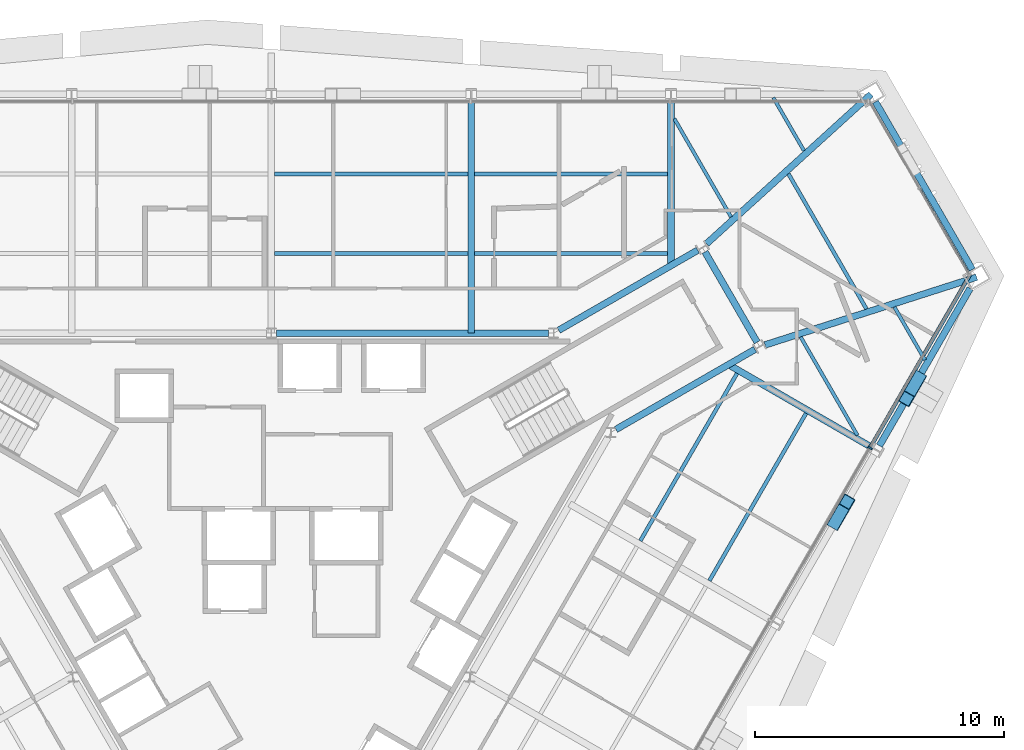
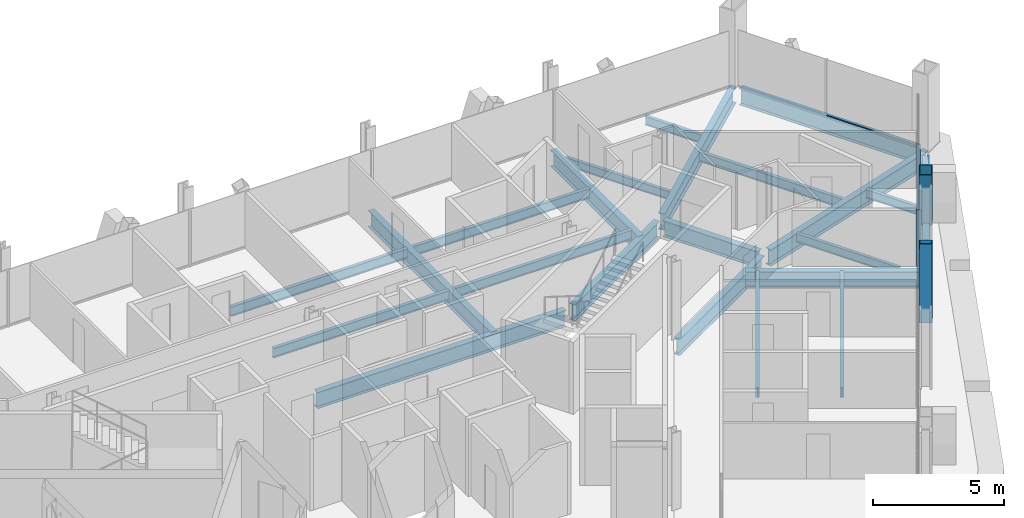
# One storey, part 7 of 16: 22 beams, 5 members, 2 elements without a shape of their own.
"""IFC4 building model written with IfcOpenShell, lengths in metres."""

from ifc_helpers import new_model, si_unit, direction, frame, origin, origin_2d, place, context, subcontext, project, spatial, rectangle, hollow_rectangle, i_section, extrude, material, material_profile, profile_set, type_object, element, aggregate, save


model = new_model("IFC4")

# Units and contexts
model_context = context("Model", 3, precision=1e-05, world=origin(), true_north=direction((0.0, 1.0)))
body_context = subcontext(model_context, "Body", "Model", "MODEL_VIEW")
ifc_project = project(units=[si_unit("LENGTHUNIT", "METRE"), si_unit("AREAUNIT", "SQUARE_METRE"), si_unit("VOLUMEUNIT", "CUBIC_METRE"), si_unit("PLANEANGLEUNIT", "RADIAN"), si_unit("MASSUNIT", "GRAM", prefix="KILO")], contexts=[model_context])

# Site, building, storey
site_placement = place(None, origin())
site = spatial("IfcSite", under=ifc_project, at=site_placement, CompositionType="ELEMENT")
building_placement = place(site_placement, origin())
building = spatial("IfcBuilding", under=site, at=building_placement, Name="Verrane Prism Tower", CompositionType="ELEMENT")
storey_placement = place(building_placement, frame((0.0, 0.0, 107.199951171875)))
storey = spatial("IfcBuildingStorey", under=building, at=storey_placement, Name="L25", CompositionType="ELEMENT", Elevation=107.199951171875)

# Beams
ifc_material_1 = material(Name="Steel A992", Category="steel")
ifc_material_profile_1 = material_profile(ifc_material_1, i_section(OverallWidth=0.2666015625, OverallDepth=0.76708984375, WebThickness=0.014892578125, FlangeThickness=0.023681640625, FilletRadius=0.0166015625, at=origin_2d()), Name="W30x124")
ifc_profile_set_1 = profile_set([ifc_material_profile_1], Name="Steel A992")
beam_type_1 = type_object("IfcBeamType", Name="Chamfer spandrel beam W30x124", PredefinedType="SPANDREL", material=ifc_profile_set_1)
beam_1_placement = place(storey_placement, frame((28.135009765625, 11.753173828125, -0.54345703125), z_axis=(-0.500214307011, 0.865901638214, 0.0), x_axis=(-0.865901638214, -0.500214307011, 0.0)))
element("IfcBeam", 1, at=beam_1_placement, inside=storey, type_object=beam_type_1, Name="Chamfer spandrel beam L25", PredefinedType="SPANDREL", context=body_context, shape_type="SweptSolid", body=[
    extrude(i_section(OverallWidth=0.2666015625, OverallDepth=0.76708984375, WebThickness=0.014892578125, FlangeThickness=0.023681640625, FilletRadius=0.0166015625, at=origin_2d()), origin(), (0.0, 0.0, 1.0), 7.7763671875),
])
ifc_material_2 = material(Name="Steel A992", Category="steel")
ifc_material_profile_2 = material_profile(ifc_material_2, i_section(OverallWidth=0.2666015625, OverallDepth=0.7568359375, WebThickness=0.013916015625, FlangeThickness=0.019287109375, FilletRadius=0.0166015625, at=origin_2d()), Name="W30x108")
ifc_profile_set_2 = profile_set([ifc_material_profile_2], Name="Steel A992")
beam_type_2 = type_object("IfcBeamType", Name="Core ring girder W30x108", PredefinedType="BEAM", material=ifc_profile_set_2)
beam_2_placement = place(storey_placement, frame((13.830810546875, 5.335693359375, -0.62841796875), z_axis=(0.866455532004, 0.499254254924, 0.0), x_axis=(-0.499254254924, 0.866455532004, 0.0)))
element("IfcBeam", 2, at=beam_2_placement, inside=storey, type_object=beam_type_2, Name="Core ring girder L25", PredefinedType="BEAM", context=body_context, shape_type="SweptSolid", body=[
    extrude(i_section(OverallWidth=0.2666015625, OverallDepth=0.7568359375, WebThickness=0.013916015625, FlangeThickness=0.019287109375, FilletRadius=0.0166015625, at=origin_2d()), origin(), (0.0, 0.0, 1.0), 6.441162109375),
])
beam_3_placement = place(storey_placement, frame((19.4970703125, 8.838134765625, -0.62841796875), z_axis=(-0.500367003619, 0.865813410435, 0.0), x_axis=(-0.865813410435, -0.500367003619, 0.0)))
element("IfcBeam", 3, at=beam_3_placement, inside=storey, type_object=beam_type_2, Name="Core ring girder L25", PredefinedType="BEAM", context=body_context, shape_type="SweptSolid", body=[
    extrude(i_section(OverallWidth=0.2666015625, OverallDepth=0.7568359375, WebThickness=0.013916015625, FlangeThickness=0.019287109375, FilletRadius=0.0166015625, at=origin_2d()), origin(), (0.0, 0.0, 1.0), 4.185302734375),
])
beam_4_placement = place(storey_placement, frame((17.11181640625, 12.531494140625, -0.62841796875), z_axis=(-0.866455532004, -0.499254254924, 0.0), x_axis=(0.499254254924, -0.866455532004, 0.0)))
element("IfcBeam", 4, at=beam_4_placement, inside=storey, type_object=beam_type_2, Name="Core ring girder L25", PredefinedType="BEAM", context=body_context, shape_type="SweptSolid", body=[
    extrude(i_section(OverallWidth=0.2666015625, OverallDepth=0.7568359375, WebThickness=0.013916015625, FlangeThickness=0.019287109375, FilletRadius=0.0166015625, at=origin_2d()), origin(), (0.0, 0.0, 1.0), 6.441162109375),
])
beam_5_placement = place(storey_placement, frame((11.12939453125, 9.199951171875, -0.62841796875), z_axis=(-1.0, 0.0, 0.0), x_axis=(0.0, -1.0, 0.0)))
element("IfcBeam", 5, at=beam_5_placement, inside=storey, type_object=beam_type_2, Name="Core ring girder L25", PredefinedType="BEAM", context=body_context, shape_type="SweptSolid", body=[
    extrude(i_section(OverallWidth=0.2666015625, OverallDepth=0.7568359375, WebThickness=0.013916015625, FlangeThickness=0.019287109375, FilletRadius=0.0166015625, at=origin_2d()), origin(), (0.0, 0.0, 1.0), 10.9287109375),
])
ifc_material_3 = material(Name="Steel A992", Category="steel")
ifc_material_profile_3 = material_profile(ifc_material_3, i_section(OverallWidth=0.2666015625, OverallDepth=0.76708984375, WebThickness=0.014892578125, FlangeThickness=0.023681640625, FilletRadius=0.0166015625, at=origin_2d()), Name="W30x124")
ifc_profile_set_3 = profile_set([ifc_material_profile_3], Name="Steel A992")
beam_type_3 = type_object("IfcBeamType", Name="Corner girder W30x124", PredefinedType="BEAM", material=ifc_profile_set_3)
beam_6_placement = place(storey_placement, frame((28.3056640625, 11.448486328125, -0.603515625), z_axis=(-0.952340206189, -0.305037918423, 0.0), x_axis=(0.305037918423, -0.952340206189, 0.0)))
element("IfcBeam", 6, at=beam_6_placement, inside=storey, type_object=beam_type_3, Name="Corner girder L25", PredefinedType="BEAM", context=body_context, shape_type="SweptSolid", body=[
    extrude(i_section(OverallWidth=0.2666015625, OverallDepth=0.76708984375, WebThickness=0.014892578125, FlangeThickness=0.023681640625, FilletRadius=0.0166015625, at=origin_2d()), origin(), (0.0, 0.0, 1.0), 8.919189453125),
])
beam_7_placement = place(storey_placement, frame((24.068115234375, 18.788330078125, -0.603515625), z_axis=(-0.740172818675, -0.67241668517, 0.0), x_axis=(0.67241668517, -0.740172818675, 0.0)))
element("IfcBeam", 7, at=beam_7_placement, inside=storey, type_object=beam_type_3, Name="Corner girder L25", PredefinedType="BEAM", context=body_context, shape_type="SweptSolid", body=[
    extrude(i_section(OverallWidth=0.2666015625, OverallDepth=0.76708984375, WebThickness=0.014892578125, FlangeThickness=0.023681640625, FilletRadius=0.0166015625, at=origin_2d()), origin(), (0.0, 0.0, 1.0), 8.921630859375),
])

# Members
ifc_material_4 = material(Name="Steel A1085 Grade A", Category="steel")
ifc_material_profile_4 = material_profile(ifc_material_4, hollow_rectangle(XDim=0.508056640625, YDim=0.508056640625, WallThickness=0.025390625, InnerFilletRadius=0.0126953125, OuterFilletRadius=0.0380859375, at=origin_2d()), Name="HSS20x20x1")
ifc_profile_set_4 = profile_set([ifc_material_profile_4], Name="Steel A1085 Grade A")
member_type_1 = type_object("IfcMemberType", Name="Facade brace HSS20x20x1", PredefinedType="BRACE", material=ifc_profile_set_4)
member_1_placement = place(storey_placement, frame((22.624267578125, 1.60302734375, -0.242431640625), z_axis=(0.152034174601, 0.262773207169, 0.952804204098), x_axis=(-0.865565771003, 0.500795263623, 0.0)))
element("IfcMember", 8, at=member_1_placement, inside=storey, type_object=member_type_1, Name="Facade brace SE4 L25", PredefinedType="BRACE", context=body_context, shape_type="SweptSolid", body=[
    extrude(hollow_rectangle(XDim=0.508056640625, YDim=0.508056640625, WallThickness=0.025390625, InnerFilletRadius=0.0126953125, OuterFilletRadius=0.0380859375, at=origin_2d()), origin(), (0.0, 0.0, 1.0), 3.156982421875),
])
member_2_placement = place(storey_placement, frame((25.971435546875, 7.39697265625, -0.242431640625), z_axis=(-0.151580861177, -0.262791717489, 0.952871321714), x_axis=(0.86622802292, -0.49964888903, 0.0)))
element("IfcMember", 9, at=member_2_placement, inside=storey, type_object=member_type_1, Name="Facade brace SE5 L25", PredefinedType="BRACE", context=body_context, shape_type="SweptSolid", body=[
    extrude(hollow_rectangle(XDim=0.508056640625, YDim=0.508056640625, WallThickness=0.025390625, InnerFilletRadius=0.0126953125, OuterFilletRadius=0.0380859375, at=origin_2d()), origin(), (0.0, 0.0, 1.0), 3.15673828125),
])

# Beams
ifc_material_5 = material(Name="Steel A992", Category="steel")
ifc_material_profile_5 = material_profile(ifc_material_5, i_section(OverallWidth=0.140380859375, OverallDepth=0.40380859375, WebThickness=0.007080078125, FlangeThickness=0.01123046875, FilletRadius=0.01025390625, at=origin_2d()), Name="W16x31")
ifc_profile_set_5 = profile_set([ifc_material_profile_5], Name="Steel A992")
beam_type_4 = type_object("IfcBeamType", Name="Floor beam W16x31", PredefinedType="BEAM", material=ifc_profile_set_5)
beam_8_placement = place(storey_placement, frame((21.37744140625, 16.5244140625, -0.36181640625), z_axis=(-0.500000007376, 0.866025399526, 0.0), x_axis=(-0.866025399526, -0.500000007376, 0.0)))
element("IfcBeam", 10, at=beam_8_placement, inside=storey, type_object=beam_type_4, Name="Floor beam L25", PredefinedType="BEAM", context=body_context, shape_type="SweptSolid", body=[
    extrude(i_section(OverallWidth=0.140380859375, OverallDepth=0.40380859375, WebThickness=0.007080078125, FlangeThickness=0.01123046875, FilletRadius=0.01025390625, at=origin_2d()), origin(), (0.0, 0.0, 1.0), 2.4619140625),
])
beam_9_placement = place(storey_placement, frame((18.4501953125, 13.864990234375, -0.36181640625), z_axis=(-0.500008678503, 0.86602039319, 0.0), x_axis=(-0.86602039319, -0.500008678503, 0.0)))
element("IfcBeam", 11, at=beam_9_placement, inside=storey, type_object=beam_type_4, Name="Floor beam L25", PredefinedType="BEAM", context=body_context, shape_type="SweptSolid", body=[
    extrude(i_section(OverallWidth=0.140380859375, OverallDepth=0.40380859375, WebThickness=0.007080078125, FlangeThickness=0.01123046875, FilletRadius=0.01025390625, at=origin_2d()), origin(), (0.0, 0.0, 1.0), 4.55322265625),
])
beam_10_placement = place(storey_placement, frame((26.23583984375, 8.122314453125, -0.36181640625), z_axis=(-0.500026134388, 0.866010314562, 0.0), x_axis=(-0.866010314562, -0.500026134388, 0.0)))
element("IfcBeam", 12, at=beam_10_placement, inside=storey, type_object=beam_type_4, Name="Floor beam L25", PredefinedType="BEAM", context=body_context, shape_type="SweptSolid", body=[
    extrude(i_section(OverallWidth=0.140380859375, OverallDepth=0.40380859375, WebThickness=0.007080078125, FlangeThickness=0.01123046875, FilletRadius=0.01025390625, at=origin_2d()), origin(), (0.0, 0.0, 1.0), 2.458740234375),
])
beam_11_placement = place(storey_placement, frame((23.5205078125, 5.104736328125, -0.36181640625), z_axis=(-0.500004125498, 0.866023021914, 0.0), x_axis=(-0.866023021914, -0.500004125498, 0.0)))
element("IfcBeam", 13, at=beam_11_placement, inside=storey, type_object=beam_type_4, Name="Floor beam L25", PredefinedType="BEAM", context=body_context, shape_type="SweptSolid", body=[
    extrude(i_section(OverallWidth=0.140380859375, OverallDepth=0.40380859375, WebThickness=0.007080078125, FlangeThickness=0.01123046875, FilletRadius=0.01025390625, at=origin_2d()), origin(), (0.0, 0.0, 1.0), 4.5517578125),
])
ifc_material_6 = material(Name="Steel A992", Category="steel")
ifc_material_profile_6 = material_profile(ifc_material_6, i_section(OverallWidth=0.15234375, OverallDepth=0.449462890625, WebThickness=0.007568359375, FlangeThickness=0.0107421875, FilletRadius=0.01025390625, at=origin_2d()), Name="W18x35")
ifc_profile_set_6 = profile_set([ifc_material_profile_6], Name="Steel A992")
beam_type_5 = type_object("IfcBeamType", Name="Floor beam W18x35", PredefinedType="BEAM", material=ifc_profile_set_6)
for number, where, z_axis, x_axis, name in (
    (14, (8.153564453125, 12.396728515625, -0.384765625), (1.0, 0.0, 0.0), (0.0, 1.0, 0.0), "Floor beam L25"),
    (15, (8.153564453125, 15.59326171875, -0.384765625), (1.0, 0.0, 0.0), (0.0, 1.0, 0.0), "Floor beam L25"),
    (16, (0.133544921875, 12.396728515625, -0.384765625), (1.0, 0.0, 0.0), (0.0, 1.0, 0.0), "Floor beam L25"),
    (17, (0.133544921875, 15.59326171875, -0.384765625), (1.0, 0.0, 0.0), (0.0, 1.0, 0.0), "Floor beam L25"),
):
    element("IfcBeam", number, at=place(storey_placement, frame(where, z_axis=z_axis, x_axis=x_axis)), inside=storey, type_object=beam_type_5, Name=name, PredefinedType="BEAM", context=body_context, shape_type="SweptSolid", body=[
        extrude(i_section(OverallWidth=0.15234375, OverallDepth=0.449462890625, WebThickness=0.007568359375, FlangeThickness=0.0107421875, FilletRadius=0.01025390625, at=origin_2d()), origin(), (0.0, 0.0, 1.0), 7.7529296875),
    ])
beam_12_placement = place(storey_placement, frame((17.58056640625, -0.736572265625, -0.384765625), z_axis=(0.499974721637, 0.866039997762, 0.0), x_axis=(-0.866039997762, 0.499974721637, 0.0)))
element("IfcBeam", 18, at=beam_12_placement, inside=storey, type_object=beam_type_5, Name="Floor beam L25", PredefinedType="BEAM", context=body_context, shape_type="SweptSolid", body=[
    extrude(i_section(OverallWidth=0.15234375, OverallDepth=0.449462890625, WebThickness=0.007568359375, FlangeThickness=0.0107421875, FilletRadius=0.01025390625, at=origin_2d()), origin(), (0.0, 0.0, 1.0), 7.76318359375),
])
beam_13_placement = place(storey_placement, frame((14.80859375, 0.864501953125, -0.384765625), z_axis=(0.500014594887, 0.866016977259, 0.0), x_axis=(-0.866016977259, 0.500014594887, 0.0)))
element("IfcBeam", 19, at=beam_13_placement, inside=storey, type_object=beam_type_5, Name="Floor beam L25", PredefinedType="BEAM", context=body_context, shape_type="SweptSolid", body=[
    extrude(i_section(OverallWidth=0.15234375, OverallDepth=0.449462890625, WebThickness=0.007568359375, FlangeThickness=0.0107421875, FilletRadius=0.01025390625, at=origin_2d()), origin(), (0.0, 0.0, 1.0), 7.764404296875),
])
beam_14_placement = place(storey_placement, frame((23.8857421875, 10.173095703125, -0.384765625), z_axis=(-0.50001262068, 0.866018117109, 0.0), x_axis=(-0.866018117109, -0.50001262068, 0.0)))
element("IfcBeam", 20, at=beam_14_placement, inside=storey, type_object=beam_type_5, Name="Floor beam L25", PredefinedType="BEAM", context=body_context, shape_type="SweptSolid", body=[
    extrude(i_section(OverallWidth=0.15234375, OverallDepth=0.449462890625, WebThickness=0.007568359375, FlangeThickness=0.0107421875, FilletRadius=0.01025390625, at=origin_2d()), origin(), (0.0, 0.0, 1.0), 6.263427734375),
])

# Curtain wall, member
ifc_material_7 = material(Name="Aluminium framed insulated glazing", Category="aluminium")
curtain_wall_type_1 = type_object("IfcCurtainWallType", Name="Curtain wall CW-A 8400 module", PredefinedType="NOTDEFINED", material=ifc_material_7)
curtain_wall_1_placement = place(storey_placement, origin())
curtain_wall_1 = element("IfcCurtainWall", 21, at=curtain_wall_1_placement, inside=storey, type_object=curtain_wall_type_1, Name="Glazed curtain wall south-east face L25", PredefinedType="NOTDEFINED")
ifc_material_8 = material(Name="Aluminium alloy 6063-T6", Category="aluminium")
ifc_material_profile_7 = material_profile(ifc_material_8, rectangle(XDim=0.199951171875, YDim=0.070068359375, at=origin_2d()), Name="Mullion 70x200 aluminium")
ifc_profile_set_7 = profile_set([ifc_material_profile_7], Name="Aluminium alloy 6063-T6")
member_type_2 = type_object("IfcMemberType", Name="Mullion 70x200 aluminium", PredefinedType="MULLION", material=ifc_profile_set_7)
member_3_placement = place(storey_placement, frame((24.029052734375, 4.597412109375, 0.0), z_axis=(0.0, 0.0, 1.0), x_axis=(-0.866025402318, 0.500000002539, 0.0)))
member_3 = element("IfcMember", 22, at=member_3_placement, type_object=member_type_2, Name="CW24.6 mullion 6", PredefinedType="MULLION", context=body_context, shape_type="SweptSolid", body=[
    extrude(rectangle(XDim=0.199951171875, YDim=0.070068359375, at=origin_2d()), origin(), (0.0, 0.0, 1.0), 2.613037109375),
])

# Beams
ifc_material_9 = material(Name="Steel A992", Category="steel")
ifc_material_profile_8 = material_profile(ifc_material_9, i_section(OverallWidth=0.2666015625, OverallDepth=0.76708984375, WebThickness=0.014892578125, FlangeThickness=0.023681640625, FilletRadius=0.0166015625, at=origin_2d()), Name="W30x124")
ifc_profile_set_8 = profile_set([ifc_material_profile_8], Name="Steel A992")
beam_type_6 = type_object("IfcBeamType", Name="Radial girder W30x124", PredefinedType="BEAM", material=ifc_profile_set_8)
beam_15_placement = place(storey_placement, frame((16.0400390625, 18.552490234375, -0.603515625), z_axis=(0.0, -1.0, 0.0), x_axis=(1.0, 0.0, 0.0)))
element("IfcBeam", 23, at=beam_15_placement, inside=storey, type_object=beam_type_6, Name="Radial girder L25", PredefinedType="BEAM", context=body_context, shape_type="SweptSolid", body=[
    extrude(i_section(OverallWidth=0.2666015625, OverallDepth=0.76708984375, WebThickness=0.014892578125, FlangeThickness=0.023681640625, FilletRadius=0.0166015625, at=origin_2d()), origin(), (0.0, 0.0, 1.0), 6.638427734375),
])
beam_16_placement = place(storey_placement, frame((8.02001953125, 18.552490234375, -0.603515625), z_axis=(0.0, -1.0, 0.0), x_axis=(1.0, 0.0, 0.0)))
element("IfcBeam", 24, at=beam_16_placement, inside=storey, type_object=beam_type_6, Name="Radial girder L25", PredefinedType="BEAM", context=body_context, shape_type="SweptSolid", body=[
    extrude(i_section(OverallWidth=0.2666015625, OverallDepth=0.76708984375, WebThickness=0.014892578125, FlangeThickness=0.023681640625, FilletRadius=0.0166015625, at=origin_2d()), origin(), (0.0, 0.0, 1.0), 9.3525390625),
])
beam_17_placement = place(storey_placement, frame((24.09423828125, 4.61865234375, -0.603515625), z_axis=(-0.866011622103, 0.500023869813, 0.0), x_axis=(-0.500023869813, -0.866011622103, 0.0)))
element("IfcBeam", 25, at=beam_17_placement, inside=storey, type_object=beam_type_6, Name="Radial girder L25", PredefinedType="BEAM", context=body_context, shape_type="SweptSolid", body=[
    extrude(i_section(OverallWidth=0.2666015625, OverallDepth=0.76708984375, WebThickness=0.014892578125, FlangeThickness=0.023681640625, FilletRadius=0.0166015625, at=origin_2d()), origin(), (0.0, 0.0, 1.0), 6.637451171875),
])
ifc_material_10 = material(Name="Steel A992", Category="steel")
ifc_material_profile_9 = material_profile(ifc_material_10, i_section(OverallWidth=0.2666015625, OverallDepth=0.7568359375, WebThickness=0.013916015625, FlangeThickness=0.019287109375, FilletRadius=0.0166015625, at=origin_2d()), Name="W30x108")
ifc_profile_set_9 = profile_set([ifc_material_profile_9], Name="Steel A992")
beam_type_7 = type_object("IfcBeamType", Name="Spandrel beam W30x108", PredefinedType="SPANDREL", material=ifc_profile_set_9)
beam_18_placement = place(storey_placement, frame((24.406005859375, 4.68359375, -0.538330078125), z_axis=(0.499743707602, 0.866173323713, 0.0), x_axis=(-0.866173323713, 0.499743707602, 0.0)))
element("IfcBeam", 26, at=beam_18_placement, inside=storey, type_object=beam_type_7, Name="Spandrel beam L25", PredefinedType="SPANDREL", context=body_context, shape_type="SweptSolid", body=[
    extrude(i_section(OverallWidth=0.2666015625, OverallDepth=0.7568359375, WebThickness=0.013916015625, FlangeThickness=0.019287109375, FilletRadius=0.0166015625, at=origin_2d()), origin(), (0.0, 0.0, 1.0), 7.292236328125),
])

# Curtain wall, member
ifc_material_11 = material(Name="Aluminium framed insulated glazing", Category="aluminium")
curtain_wall_type_2 = type_object("IfcCurtainWallType", Name="Curtain wall CW-C 4200 module", PredefinedType="NOTDEFINED", material=ifc_material_11)
curtain_wall_2_placement = place(storey_placement, origin())
curtain_wall_2 = element("IfcCurtainWall", 27, at=curtain_wall_2_placement, inside=storey, type_object=curtain_wall_type_2, Name="Glazed curtain wall north-east corner L25", PredefinedType="NOTDEFINED")
ifc_material_12 = material(Name="Aluminium alloy 6063-T6", Category="aluminium")
ifc_material_profile_10 = material_profile(ifc_material_12, rectangle(XDim=0.10009765625, YDim=0.050048828125, at=origin_2d()), Name="Transom 50x100 aluminium")
ifc_profile_set_10 = profile_set([ifc_material_profile_10], Name="Aluminium alloy 6063-T6")
member_type_3 = type_object("IfcMemberType", Name="Transom 50x100 aluminium", PredefinedType="USERDEFINED", material=ifc_profile_set_10)
member_4_placement = place(storey_placement, frame((28.0029296875, 11.5673828125, 0.025146484375), z_axis=(-0.500012495779, 0.866018189223, 0.0), x_axis=(-0.866018189223, -0.500012495779, 0.0)))
member_4 = element("IfcMember", 28, at=member_4_placement, type_object=member_type_3, Name="CW24.1 transom 1", ObjectType="TRANSOM", PredefinedType="USERDEFINED", context=body_context, shape_type="SweptSolid", body=[
    extrude(rectangle(XDim=0.10009765625, YDim=0.050048828125, at=origin_2d()), origin(), (0.0, 0.0, 1.0), 3.958984375),
])
aggregate(curtain_wall_2, [member_4])

# Member
ifc_material_13 = material(Name="Aluminium alloy 6063-T6", Category="aluminium")
ifc_material_profile_11 = material_profile(ifc_material_13, rectangle(XDim=0.14990234375, YDim=0.070068359375, at=origin_2d()), Name="Transom 70x150 aluminium")
ifc_profile_set_11 = profile_set([ifc_material_profile_11], Name="Aluminium alloy 6063-T6")
member_type_4 = type_object("IfcMemberType", Name="Transom 70x150 aluminium", PredefinedType="USERDEFINED", material=ifc_profile_set_11)
member_5_placement = place(storey_placement, frame((24.04638671875, 4.6279296875, 0.03515625), z_axis=(0.500026772375, 0.866009946195, 0.0), x_axis=(-0.866009946195, 0.500026772375, 0.0)))
member_5 = element("IfcMember", 29, at=member_5_placement, type_object=member_type_4, Name="CW24.6 transom 6", ObjectType="TRANSOM", PredefinedType="USERDEFINED", context=body_context, shape_type="SweptSolid", body=[
    extrude(rectangle(XDim=0.14990234375, YDim=0.070068359375, at=origin_2d()), origin(), (0.0, 0.0, 1.0), 7.962890625),
])

aggregate(curtain_wall_1, [member_3, member_5])

save(model, "model.ifc")
